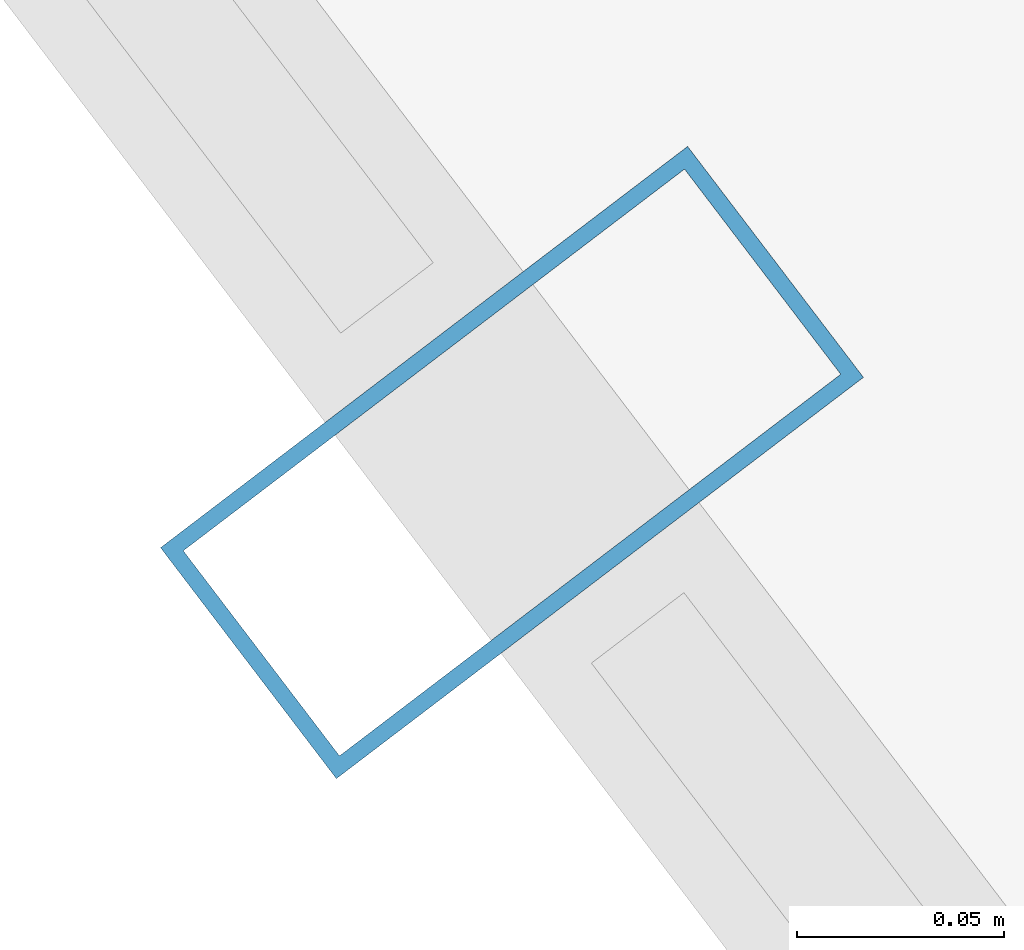
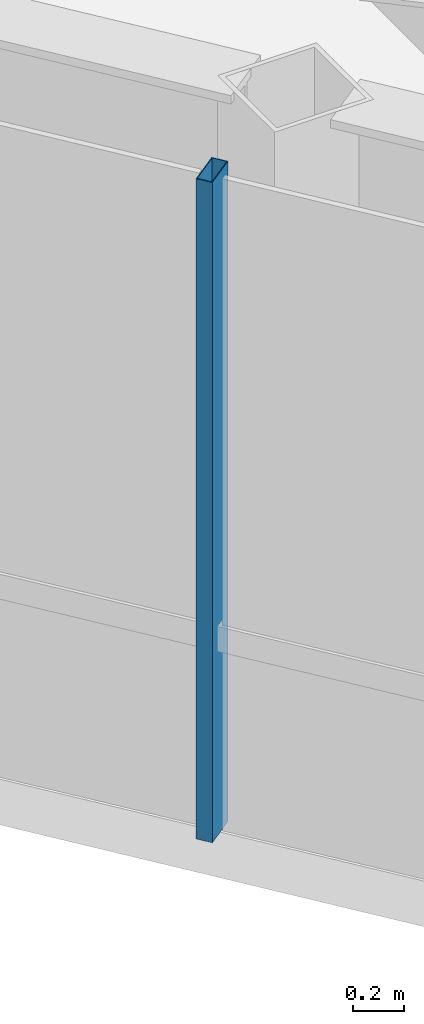
# One storey, part 5 of 23: 1 member, 1 element without a shape of its own.
"""IFC4 building model written with IfcOpenShell, lengths in metres."""

from ifc_helpers import new_model, si_unit, direction, frame, origin, origin_2d, place, context, subcontext, project, spatial, hollow_rectangle, extrude, material, layer, layer_set, material_profile, profile_set, type_object, element, aggregate, save


model = new_model("IFC4")

# Units and contexts
model_context = context("Model", 3, precision=1e-05, world=origin(), true_north=direction((0.0, 1.0)))
body_context = subcontext(model_context, "Body", "Model", "MODEL_VIEW")
ifc_project = project(units=[si_unit("LENGTHUNIT", "METRE"), si_unit("AREAUNIT", "SQUARE_METRE"), si_unit("VOLUMEUNIT", "CUBIC_METRE"), si_unit("PLANEANGLEUNIT", "RADIAN"), si_unit("MASSUNIT", "GRAM", prefix="KILO")], contexts=[model_context])

# Site, building, storey
site_placement = place(None, origin())
site = spatial("IfcSite", under=ifc_project, at=site_placement, CompositionType="ELEMENT")
building_placement = place(site_placement, origin())
building = spatial("IfcBuilding", under=site, at=building_placement, Name="Zarrinselat Tower", CompositionType="ELEMENT")
storey_placement = place(building_placement, frame((0.0, 0.0, 278.800048828125)))
storey = spatial("IfcBuildingStorey", under=building, at=storey_placement, Name="L71", CompositionType="ELEMENT", Elevation=278.800048828125)

# Curtain wall, member
ifc_material_1 = material(Name="Extruded Aluminium Alloy EN AW-6063 T6", Category="aluminium")
ifc_layer = layer(ifc_material_1, 0.169921875)
ifc_layer_set = layer_set([ifc_layer], Name="Extruded Aluminium Alloy EN AW-6063 T6")
curtain_wall_type = type_object("IfcCurtainWallType", Name="CWS-RES", PredefinedType="NOTDEFINED", material=ifc_layer_set)
curtain_wall_placement = place(storey_placement, origin())
curtain_wall = element("IfcCurtainWall", 1, at=curtain_wall_placement, inside=storey, type_object=curtain_wall_type, Name="L71 Unitised Curtain Wall CW-L71-E03", PredefinedType="NOTDEFINED")
ifc_material_2 = material(Name="Extruded Aluminium Alloy EN AW-6063 T6", Category="aluminium")
ifc_material_profile = material_profile(ifc_material_2, hollow_rectangle(XDim=0.070068359375, YDim=0.159912109375, WallThickness=0.00390625, at=origin_2d()), Name="RHS 160x70x4")
ifc_profile_set = profile_set([ifc_material_profile], Name="Extruded Aluminium Alloy EN AW-6063 T6")
member_type = type_object("IfcMemberType", Name="MEM-CW-MUL2", PredefinedType="MULLION", material=ifc_profile_set)
member_placement = place(storey_placement, frame((25.106689453125, 31.381591796875, 0.0), z_axis=(0.0, 0.0, 1.0), x_axis=(0.60576733126, -0.795641841772, 0.0)))
member = element("IfcMember", 2, at=member_placement, type_object=member_type, Name="CW-L71-E03 Mullion 4", PredefinedType="MULLION", context=body_context, shape_type="SweptSolid", body=[
    extrude(hollow_rectangle(XDim=0.070068359375, YDim=0.159912109375, WallThickness=0.00390625, at=origin_2d()), origin(), (0.0, 0.0, 1.0), 3.179931640625),
])
aggregate(curtain_wall, [member])

save(model, "model.ifc")
